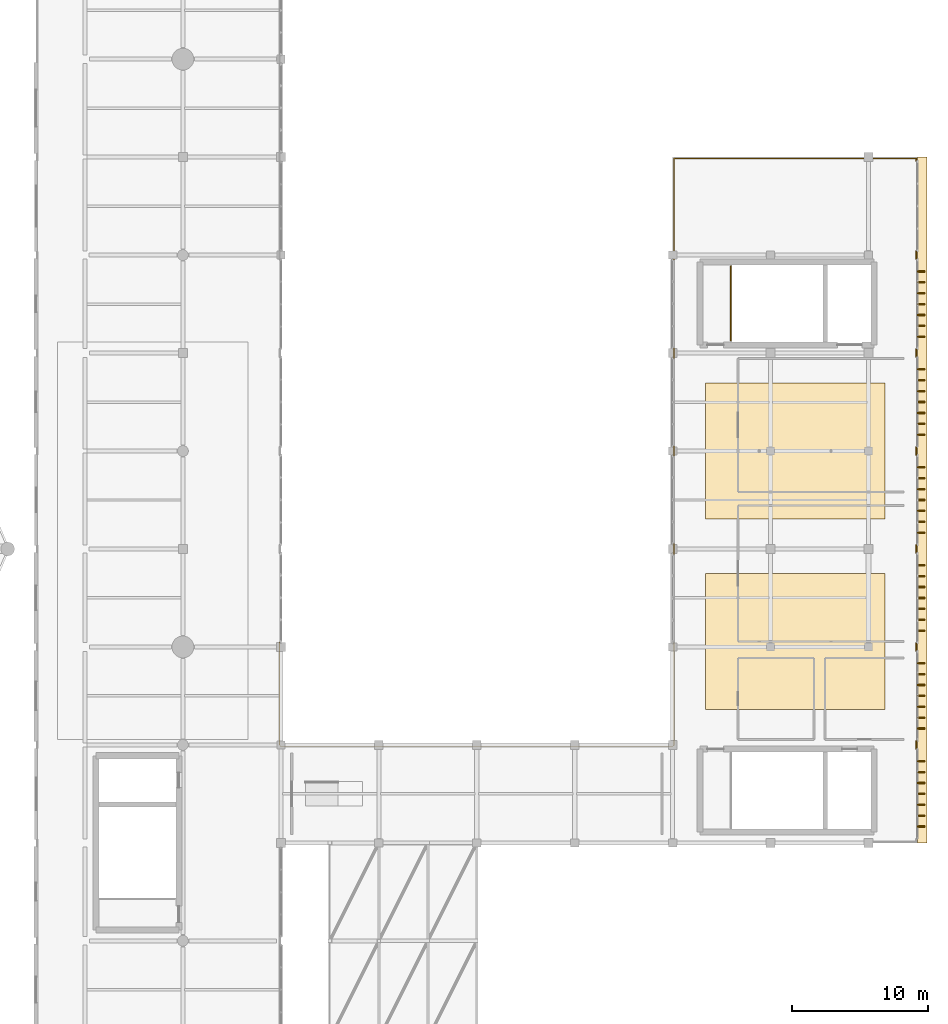
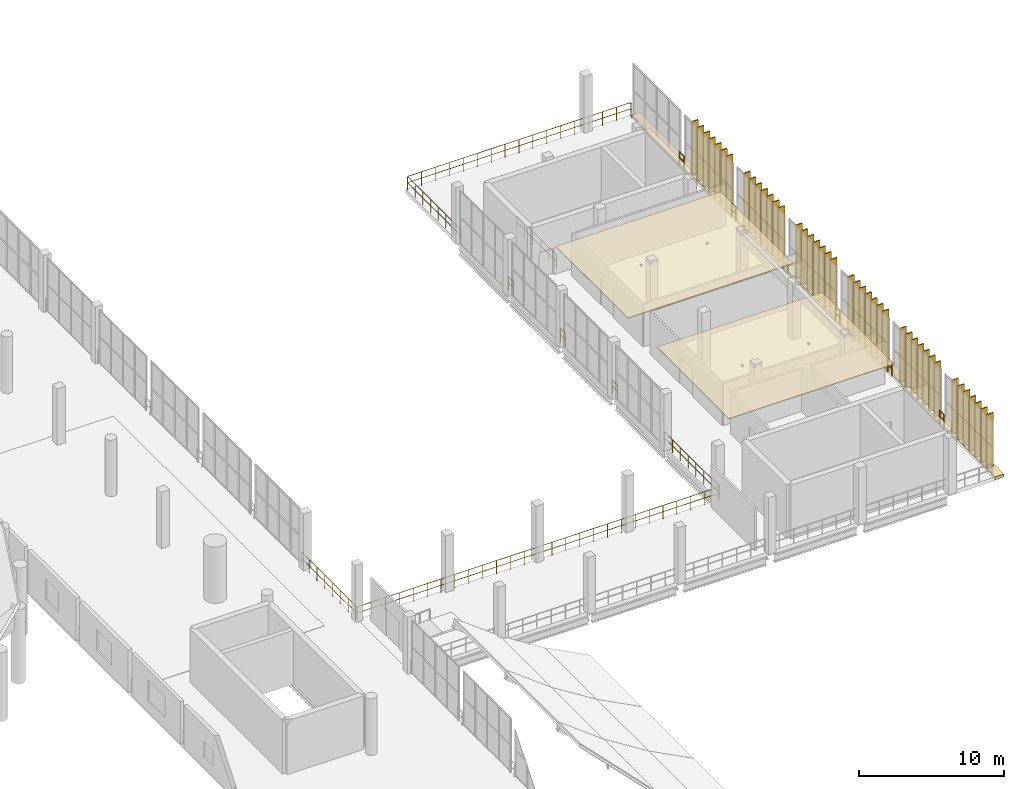
# One storey, part 104 of 105: 45 coverings, 12 railings.
"""IFC4 building model written with IfcOpenShell, lengths in metres."""

from ifc_helpers import new_model, si_unit, direction, frame, origin, origin_2d, place, context, subcontext, project, spatial, polyline, rectangle, circle, outline, extrude, material, layer, layer_set, type_object, element, save


model = new_model("IFC4")

# Units and contexts
model_context = context("Model", 3, precision=1e-05, world=origin(), true_north=direction((0.0, 1.0)))
body_context = subcontext(model_context, "Body", "Model", "MODEL_VIEW")
ifc_project = project(units=[si_unit("LENGTHUNIT", "METRE"), si_unit("AREAUNIT", "SQUARE_METRE"), si_unit("VOLUMEUNIT", "CUBIC_METRE"), si_unit("PLANEANGLEUNIT", "RADIAN"), si_unit("MASSUNIT", "GRAM", prefix="KILO")], contexts=[model_context])

# Site, building, storey
site_placement = place(None, origin())
site = spatial("IfcSite", under=ifc_project, at=site_placement, CompositionType="ELEMENT")
building_placement = place(site_placement, origin())
building = spatial("IfcBuilding", under=site, at=building_placement, Name="Qandorah Velis Arena", CompositionType="ELEMENT")
storey_placement = place(building_placement, frame((0.0, 0.0, 13.800048828125)))
storey = spatial("IfcBuildingStorey", under=building, at=storey_placement, Name="L03", CompositionType="ELEMENT", Elevation=13.800048828125)

# Coverings
ifc_material_1 = material(Name="Perforated mineral-fibre acoustic ceiling cloud", Category="gypsum")
ifc_layer_1 = layer(ifc_material_1, 0.044921875)
ifc_layer_set_1 = layer_set([ifc_layer_1], Name="Perforated mineral-fibre acoustic ceiling cloud")
covering_type_1 = type_object("IfcCoveringType", Name="ARC-COV-CEIL", PredefinedType="CEILING", material=ifc_layer_set_1)
covering_1_placement = place(storey_placement, frame((0.0, 0.0, 4.385009765625)))
element("IfcCovering", 1, at=covering_1_placement, inside=storey, type_object=covering_type_1, Name="Acoustic ceiling cloud AC-04", PredefinedType="CEILING", context=body_context, shape_type="SweptSolid", body=[
    extrude(outline(polyline([(153.60009765625, 53.0), (166.800048828125, 53.0), (166.800048828125, 63.0), (153.60009765625, 63.0), (153.60009765625, 53.0)])), origin(), (0.0, 0.0, 1.0), 0.044921875),
])
covering_2_placement = place(storey_placement, frame((0.0, 0.0, 4.385009765625)))
element("IfcCovering", 2, at=covering_2_placement, inside=storey, type_object=covering_type_1, Name="Acoustic ceiling cloud AC-05", PredefinedType="CEILING", context=body_context, shape_type="SweptSolid", body=[
    extrude(outline(polyline([(153.60009765625, 67.0), (166.800048828125, 67.0), (166.800048828125, 77.0), (153.60009765625, 77.0), (153.60009765625, 67.0)])), origin(), (0.0, 0.0, 1.0), 0.044921875),
])
ifc_material_2 = material(Name="Precast Riyadh limestone cladding", Category="masonry")
ifc_layer_2 = layer(ifc_material_2, 0.054931640625)
ifc_layer_set_2 = layer_set([ifc_layer_2], Name="Precast Riyadh limestone cladding")
covering_type_2 = type_object("IfcCoveringType", Name="ARC-COV-CLAD", PredefinedType="CLADDING", material=ifc_layer_set_2)
covering_3_placement = place(storey_placement, frame((169.5400390625, 68.39990234375, -0.27001953125), z_axis=(0.0, 0.0, 1.0), x_axis=(1.0, 0.0, 0.0)))
element("IfcCovering", 3, at=covering_3_placement, inside=storey, type_object=covering_type_2, Name="Sculpted precast solar eyebrow reveal 09", PredefinedType="CLADDING", context=body_context, shape_type="SweptSolid", body=[
    extrude(rectangle(XDim=0.719970703125, YDim=50.39990234375, at=origin_2d()), origin(), (0.0, 0.0, 1.0), 0.260009765625),
])
ifc_material_3 = material(Name="Champagne-bronze anodized aluminium 6063-T6", Category="aluminium")
ifc_layer_3 = layer(ifc_material_3, 0.0849609375)
ifc_layer_set_3 = layer_set([ifc_layer_3], Name="Champagne-bronze anodized aluminium 6063-T6")
covering_type_3 = type_object("IfcCoveringType", Name="ARC-COV-FIN520", PredefinedType="CLADDING", material=ifc_layer_set_3)
for number, where, z_axis, x_axis, name in (
    (4, (169.451904296875, 44.39990234375, -0.01025390625), (0.0, 0.0, 1.0), (1.0, 0.0, 0.0), "Vertical champagne-bronze solar fin blade WNG-E-L03-00-001"),
    (5, (169.451904296875, 45.199951171875, -0.01025390625), (0.0, 0.0, 1.0), (1.0, 0.0, 0.0), "Vertical champagne-bronze solar fin blade WNG-E-L03-00-002"),
    (6, (169.451904296875, 46.0, -0.01025390625), (0.0, 0.0, 1.0), (1.0, 0.0, 0.0), "Vertical champagne-bronze solar fin blade WNG-E-L03-00-003"),
    (7, (169.451904296875, 46.800048828125, -0.01025390625), (0.0, 0.0, 1.0), (1.0, 0.0, 0.0), "Vertical champagne-bronze solar fin blade WNG-E-L03-00-004"),
    (8, (169.451904296875, 47.60009765625, -0.01025390625), (0.0, 0.0, 1.0), (1.0, 0.0, 0.0), "Vertical champagne-bronze solar fin blade WNG-E-L03-00-005"),
    (9, (169.451904296875, 48.39990234375, -0.01025390625), (0.0, 0.0, 1.0), (1.0, 0.0, 0.0), "Vertical champagne-bronze solar fin blade WNG-E-L03-00-006"),
    (10, (169.451904296875, 49.199951171875, -0.01025390625), (0.0, 0.0, 1.0), (1.0, 0.0, 0.0), "Vertical champagne-bronze solar fin blade WNG-E-L03-00-007"),
    (11, (169.451904296875, 51.60009765625, -0.01025390625), (0.0, 0.0, 1.0), (1.0, 0.0, 0.0), "Vertical champagne-bronze solar fin blade WNG-E-L03-01-001"),
    (12, (169.451904296875, 52.39990234375, -0.01025390625), (0.0, 0.0, 1.0), (1.0, 0.0, 0.0), "Vertical champagne-bronze solar fin blade WNG-E-L03-01-002"),
    (13, (169.451904296875, 53.199951171875, -0.01025390625), (0.0, 0.0, 1.0), (1.0, 0.0, 0.0), "Vertical champagne-bronze solar fin blade WNG-E-L03-01-003"),
    (14, (169.451904296875, 54.0, -0.01025390625), (0.0, 0.0, 1.0), (1.0, 0.0, 0.0), "Vertical champagne-bronze solar fin blade WNG-E-L03-01-004"),
    (15, (169.451904296875, 54.800048828125, -0.01025390625), (0.0, 0.0, 1.0), (1.0, 0.0, 0.0), "Vertical champagne-bronze solar fin blade WNG-E-L03-01-005"),
    (16, (169.451904296875, 55.60009765625, -0.01025390625), (0.0, 0.0, 1.0), (1.0, 0.0, 0.0), "Vertical champagne-bronze solar fin blade WNG-E-L03-01-006"),
    (17, (169.451904296875, 56.39990234375, -0.01025390625), (0.0, 0.0, 1.0), (1.0, 0.0, 0.0), "Vertical champagne-bronze solar fin blade WNG-E-L03-01-007"),
    (18, (169.451904296875, 58.800048828125, -0.01025390625), (0.0, 0.0, 1.0), (1.0, 0.0, 0.0), "Vertical champagne-bronze solar fin blade WNG-E-L03-02-001"),
    (19, (169.451904296875, 59.60009765625, -0.01025390625), (0.0, 0.0, 1.0), (1.0, 0.0, 0.0), "Vertical champagne-bronze solar fin blade WNG-E-L03-02-002"),
    (20, (169.451904296875, 60.39990234375, -0.01025390625), (0.0, 0.0, 1.0), (1.0, 0.0, 0.0), "Vertical champagne-bronze solar fin blade WNG-E-L03-02-003"),
    (21, (169.451904296875, 61.199951171875, -0.01025390625), (0.0, 0.0, 1.0), (1.0, 0.0, 0.0), "Vertical champagne-bronze solar fin blade WNG-E-L03-02-004"),
    (22, (169.451904296875, 62.0, -0.01025390625), (0.0, 0.0, 1.0), (1.0, 0.0, 0.0), "Vertical champagne-bronze solar fin blade WNG-E-L03-02-005"),
    (23, (169.451904296875, 62.800048828125, -0.01025390625), (0.0, 0.0, 1.0), (1.0, 0.0, 0.0), "Vertical champagne-bronze solar fin blade WNG-E-L03-02-006"),
    (24, (169.451904296875, 63.60009765625, -0.01025390625), (0.0, 0.0, 1.0), (1.0, 0.0, 0.0), "Vertical champagne-bronze solar fin blade WNG-E-L03-02-007"),
    (25, (169.451904296875, 66.0, -0.01025390625), (0.0, 0.0, 1.0), (1.0, 0.0, 0.0), "Vertical champagne-bronze solar fin blade WNG-E-L03-03-001"),
    (26, (169.451904296875, 66.800048828125, -0.01025390625), (0.0, 0.0, 1.0), (1.0, 0.0, 0.0), "Vertical champagne-bronze solar fin blade WNG-E-L03-03-002"),
    (27, (169.451904296875, 67.60009765625, -0.01025390625), (0.0, 0.0, 1.0), (1.0, 0.0, 0.0), "Vertical champagne-bronze solar fin blade WNG-E-L03-03-003"),
    (28, (169.451904296875, 68.39990234375, -0.01025390625), (0.0, 0.0, 1.0), (1.0, 0.0, 0.0), "Vertical champagne-bronze solar fin blade WNG-E-L03-03-004"),
    (29, (169.451904296875, 69.199951171875, -0.01025390625), (0.0, 0.0, 1.0), (1.0, 0.0, 0.0), "Vertical champagne-bronze solar fin blade WNG-E-L03-03-005"),
    (30, (169.451904296875, 70.0, -0.01025390625), (0.0, 0.0, 1.0), (1.0, 0.0, 0.0), "Vertical champagne-bronze solar fin blade WNG-E-L03-03-006"),
    (31, (169.451904296875, 70.800048828125, -0.01025390625), (0.0, 0.0, 1.0), (1.0, 0.0, 0.0), "Vertical champagne-bronze solar fin blade WNG-E-L03-03-007"),
    (32, (169.451904296875, 73.199951171875, -0.01025390625), (0.0, 0.0, 1.0), (1.0, 0.0, 0.0), "Vertical champagne-bronze solar fin blade WNG-E-L03-04-001"),
    (33, (169.451904296875, 74.0, -0.01025390625), (0.0, 0.0, 1.0), (1.0, 0.0, 0.0), "Vertical champagne-bronze solar fin blade WNG-E-L03-04-002"),
    (34, (169.451904296875, 74.800048828125, -0.01025390625), (0.0, 0.0, 1.0), (1.0, 0.0, 0.0), "Vertical champagne-bronze solar fin blade WNG-E-L03-04-003"),
    (35, (169.451904296875, 75.60009765625, -0.01025390625), (0.0, 0.0, 1.0), (1.0, 0.0, 0.0), "Vertical champagne-bronze solar fin blade WNG-E-L03-04-004"),
    (36, (169.451904296875, 76.39990234375, -0.01025390625), (0.0, 0.0, 1.0), (1.0, 0.0, 0.0), "Vertical champagne-bronze solar fin blade WNG-E-L03-04-005"),
    (37, (169.451904296875, 77.199951171875, -0.01025390625), (0.0, 0.0, 1.0), (1.0, 0.0, 0.0), "Vertical champagne-bronze solar fin blade WNG-E-L03-04-006"),
    (38, (169.451904296875, 78.0, -0.01025390625), (0.0, 0.0, 1.0), (1.0, 0.0, 0.0), "Vertical champagne-bronze solar fin blade WNG-E-L03-04-007"),
    (39, (169.451904296875, 80.39990234375, -0.01025390625), (0.0, 0.0, 1.0), (1.0, 0.0, 0.0), "Vertical champagne-bronze solar fin blade WNG-E-L03-05-001"),
    (40, (169.451904296875, 81.199951171875, -0.01025390625), (0.0, 0.0, 1.0), (1.0, 0.0, 0.0), "Vertical champagne-bronze solar fin blade WNG-E-L03-05-002"),
    (41, (169.451904296875, 82.0, -0.01025390625), (0.0, 0.0, 1.0), (1.0, 0.0, 0.0), "Vertical champagne-bronze solar fin blade WNG-E-L03-05-003"),
    (42, (169.451904296875, 82.800048828125, -0.01025390625), (0.0, 0.0, 1.0), (1.0, 0.0, 0.0), "Vertical champagne-bronze solar fin blade WNG-E-L03-05-004"),
    (43, (169.451904296875, 83.60009765625, -0.01025390625), (0.0, 0.0, 1.0), (1.0, 0.0, 0.0), "Vertical champagne-bronze solar fin blade WNG-E-L03-05-005"),
    (44, (169.451904296875, 84.39990234375, -0.01025390625), (0.0, 0.0, 1.0), (1.0, 0.0, 0.0), "Vertical champagne-bronze solar fin blade WNG-E-L03-05-006"),
    (45, (169.451904296875, 85.199951171875, -0.01025390625), (0.0, 0.0, 1.0), (1.0, 0.0, 0.0), "Vertical champagne-bronze solar fin blade WNG-E-L03-05-007"),
):
    element("IfcCovering", number, at=place(storey_placement, frame(where, z_axis=z_axis, x_axis=x_axis)), inside=storey, type_object=covering_type_3, Name=name, PredefinedType="CLADDING", context=body_context, shape_type="SweptSolid", body=[
        extrude(rectangle(XDim=0.52001953125, YDim=0.0849609375, at=origin_2d()), origin(), (0.0, 0.0, 1.0), 4.550048828125),
    ])

# Railings
ifc_material_4 = material(Name="Stainless steel 316", Category="steel")
railing_type = type_object("IfcRailingType", Name="ARC-RL-GRD1150", PredefinedType="GUARDRAIL", material=ifc_material_4)
railing_1_placement = place(storey_placement, frame((155.469970703125, 80.110107421875, 0.0)))
element("IfcRailing", 46, at=railing_1_placement, inside=storey, type_object=railing_type, Name="Stair ST8 top well guardrail L03", PredefinedType="GUARDRAIL", context=body_context, shape_type="SweptSolid", body=[
    extrude(circle(Radius=0.02392578125, at=origin_2d()), frame((0.0, 0.0, 1.1259765625), z_axis=(0.0, 1.0, 0.0), x_axis=(-1.0, 0.0, 0.0)), (0.0, 0.0, 1.0), 5.47998046875),
    extrude(circle(Radius=0.02392578125, at=origin_2d()), frame((0.0, 0.0, 0.597900390625), z_axis=(0.0, 1.0, 0.0), x_axis=(-1.0, 0.0, 0.0)), (0.0, 0.0, 1.0), 5.47998046875),
    extrude(circle(Radius=0.02099609375, at=origin_2d()), origin(), (0.0, 0.0, 1.0), 1.101806640625),
    extrude(circle(Radius=0.02099609375, at=origin_2d()), frame((0.0, 1.095947265625, 0.0)), (0.0, 0.0, 1.0), 1.101806640625),
    extrude(circle(Radius=0.02099609375, at=origin_2d()), frame((0.0, 2.19189453125, 0.0)), (0.0, 0.0, 1.0), 1.101806640625),
    extrude(circle(Radius=0.02099609375, at=origin_2d()), frame((0.0, 3.2880859375, 0.0)), (0.0, 0.0, 1.0), 1.101806640625),
    extrude(circle(Radius=0.02099609375, at=origin_2d()), frame((0.0, 4.384033203125, 0.0)), (0.0, 0.0, 1.0), 1.101806640625),
    extrude(circle(Radius=0.02099609375, at=origin_2d()), frame((0.0, 5.47998046875, 0.0)), (0.0, 0.0, 1.0), 1.101806640625),
])
railing_2_placement = place(storey_placement, frame((122.300048828125, 57.949951171875, 0.0)))
element("IfcRailing", 47, at=railing_2_placement, inside=storey, type_object=railing_type, Name="Slab edge safety guardrail L03-191", PredefinedType="GUARDRAIL", context=body_context, shape_type="SweptSolid", body=[
    extrude(circle(Radius=0.02392578125, at=origin_2d()), frame((0.0, 0.0, 1.1259765625), z_axis=(0.0, -1.0, 0.0), x_axis=(1.0, 0.0, 0.0)), (0.0, 0.0, 1.0), 7.550048828125),
    extrude(circle(Radius=0.02392578125, at=origin_2d()), frame((0.0, 0.0, 0.597900390625), z_axis=(0.0, -1.0, 0.0), x_axis=(1.0, 0.0, 0.0)), (0.0, 0.0, 1.0), 7.550048828125),
    extrude(circle(Radius=0.02392578125, at=origin_2d()), frame((0.0, -7.550048828125, 1.1259765625), z_axis=(0.635437237523, -0.77215252196, 0.0), x_axis=(0.77215252196, 0.635437237523, 0.0)), (0.0, 0.0, 1.0), 0.126708984375),
    extrude(circle(Radius=0.02392578125, at=origin_2d()), frame((0.0, -7.550048828125, 0.597900390625), z_axis=(0.635437237523, -0.77215252196, 0.0), x_axis=(0.77215252196, 0.635437237523, 0.0)), (0.0, 0.0, 1.0), 0.126708984375),
    extrude(circle(Radius=0.02392578125, at=origin_2d()), frame((0.08056640625, -7.64794921875, 1.1259765625), z_axis=(0.999999997704, -6.7771339e-05, 0.0), x_axis=(6.7771339e-05, 0.999999997704, 0.0)), (0.0, 0.0, 1.0), 28.8193359375),
    extrude(circle(Radius=0.02392578125, at=origin_2d()), frame((0.08056640625, -7.64794921875, 0.597900390625), z_axis=(0.999999997704, -6.7771339e-05, 0.0), x_axis=(6.7771339e-05, 0.999999997704, 0.0)), (0.0, 0.0, 1.0), 28.8193359375),
    extrude(circle(Radius=0.02392578125, at=origin_2d()), frame((28.89990234375, -7.64990234375, 1.1259765625), z_axis=(0.772928297309, 0.634493378388, 0.0), x_axis=(-0.634493378388, 0.772928297309, 0.0)), (0.0, 0.0, 1.0), 0.126953125),
    extrude(circle(Radius=0.02392578125, at=origin_2d()), frame((28.89990234375, -7.64990234375, 0.597900390625), z_axis=(0.772928297309, 0.634493378388, 0.0), x_axis=(-0.634493378388, 0.772928297309, 0.0)), (0.0, 0.0, 1.0), 0.126953125),
    extrude(circle(Radius=0.02392578125, at=origin_2d()), frame((28.998046875, -7.5693359375, 1.1259765625), z_axis=(0.000258882912, 0.99999996649, 0.0), x_axis=(-0.99999996649, 0.000258882912, 0.0)), (0.0, 0.0, 1.0), 7.54443359375),
    extrude(circle(Radius=0.02392578125, at=origin_2d()), frame((28.998046875, -7.5693359375, 0.597900390625), z_axis=(0.000258882912, 0.99999996649, 0.0), x_axis=(-0.99999996649, 0.000258882912, 0.0)), (0.0, 0.0, 1.0), 7.54443359375),
    extrude(circle(Radius=0.02099609375, at=origin_2d()), origin(), (0.0, 0.0, 1.0), 1.101806640625),
    extrude(circle(Radius=0.02099609375, at=origin_2d()), frame((0.0, -1.07861328125, 0.0)), (0.0, 0.0, 1.0), 1.101806640625),
    extrude(circle(Radius=0.02099609375, at=origin_2d()), frame((0.0, -2.1572265625, 0.0)), (0.0, 0.0, 1.0), 1.101806640625),
    extrude(circle(Radius=0.02099609375, at=origin_2d()), frame((0.0, -3.23583984375, 0.0)), (0.0, 0.0, 1.0), 1.101806640625),
    extrude(circle(Radius=0.02099609375, at=origin_2d()), frame((0.0, -4.314208984375, 0.0)), (0.0, 0.0, 1.0), 1.101806640625),
    extrude(circle(Radius=0.02099609375, at=origin_2d()), frame((0.0, -5.392822265625, 0.0)), (0.0, 0.0, 1.0), 1.101806640625),
    extrude(circle(Radius=0.02099609375, at=origin_2d()), frame((0.0, -6.471435546875, 0.0)), (0.0, 0.0, 1.0), 1.101806640625),
    extrude(circle(Radius=0.02099609375, at=origin_2d()), frame((0.0, -7.550048828125, 0.0)), (0.0, 0.0, 1.0), 1.101806640625),
    extrude(circle(Radius=0.02099609375, at=origin_2d()), frame((0.08056640625, -7.64794921875, 0.0)), (0.0, 0.0, 1.0), 1.101806640625),
    extrude(circle(Radius=0.02099609375, at=origin_2d()), frame((1.18896484375, -7.64794921875, 0.0)), (0.0, 0.0, 1.0), 1.101806640625),
    extrude(circle(Radius=0.02099609375, at=origin_2d()), frame((2.29736328125, -7.648193359375, 0.0)), (0.0, 0.0, 1.0), 1.101806640625),
    extrude(circle(Radius=0.02099609375, at=origin_2d()), frame((3.40576171875, -7.648193359375, 0.0)), (0.0, 0.0, 1.0), 1.101806640625),
    extrude(circle(Radius=0.02099609375, at=origin_2d()), frame((4.514404296875, -7.648193359375, 0.0)), (0.0, 0.0, 1.0), 1.101806640625),
    extrude(circle(Radius=0.02099609375, at=origin_2d()), frame((5.622802734375, -7.6484375, 0.0)), (0.0, 0.0, 1.0), 1.101806640625),
    extrude(circle(Radius=0.02099609375, at=origin_2d()), frame((6.731201171875, -7.6484375, 0.0)), (0.0, 0.0, 1.0), 1.101806640625),
    extrude(circle(Radius=0.02099609375, at=origin_2d()), frame((7.839599609375, -7.6484375, 0.0)), (0.0, 0.0, 1.0), 1.101806640625),
    extrude(circle(Radius=0.02099609375, at=origin_2d()), frame((8.947998046875, -7.6484375, 0.0)), (0.0, 0.0, 1.0), 1.101806640625),
    extrude(circle(Radius=0.02099609375, at=origin_2d()), frame((10.056396484375, -7.648681640625, 0.0)), (0.0, 0.0, 1.0), 1.101806640625),
    extrude(circle(Radius=0.02099609375, at=origin_2d()), frame((11.1650390625, -7.648681640625, 0.0)), (0.0, 0.0, 1.0), 1.101806640625),
    extrude(circle(Radius=0.02099609375, at=origin_2d()), frame((12.2734375, -7.648681640625, 0.0)), (0.0, 0.0, 1.0), 1.101806640625),
    extrude(circle(Radius=0.02099609375, at=origin_2d()), frame((13.3818359375, -7.64892578125, 0.0)), (0.0, 0.0, 1.0), 1.101806640625),
    extrude(circle(Radius=0.02099609375, at=origin_2d()), frame((14.490234375, -7.64892578125, 0.0)), (0.0, 0.0, 1.0), 1.101806640625),
    extrude(circle(Radius=0.02099609375, at=origin_2d()), frame((15.5986328125, -7.64892578125, 0.0)), (0.0, 0.0, 1.0), 1.101806640625),
    extrude(circle(Radius=0.02099609375, at=origin_2d()), frame((16.70703125, -7.649169921875, 0.0)), (0.0, 0.0, 1.0), 1.101806640625),
    extrude(circle(Radius=0.02099609375, at=origin_2d()), frame((17.8154296875, -7.649169921875, 0.0)), (0.0, 0.0, 1.0), 1.101806640625),
    extrude(circle(Radius=0.02099609375, at=origin_2d()), frame((18.924072265625, -7.649169921875, 0.0)), (0.0, 0.0, 1.0), 1.101806640625),
    extrude(circle(Radius=0.02099609375, at=origin_2d()), frame((20.032470703125, -7.6494140625, 0.0)), (0.0, 0.0, 1.0), 1.101806640625),
    extrude(circle(Radius=0.02099609375, at=origin_2d()), frame((21.140869140625, -7.6494140625, 0.0)), (0.0, 0.0, 1.0), 1.101806640625),
    extrude(circle(Radius=0.02099609375, at=origin_2d()), frame((22.249267578125, -7.6494140625, 0.0)), (0.0, 0.0, 1.0), 1.101806640625),
    extrude(circle(Radius=0.02099609375, at=origin_2d()), frame((23.357666015625, -7.6494140625, 0.0)), (0.0, 0.0, 1.0), 1.101806640625),
    extrude(circle(Radius=0.02099609375, at=origin_2d()), frame((24.466064453125, -7.649658203125, 0.0)), (0.0, 0.0, 1.0), 1.101806640625),
    extrude(circle(Radius=0.02099609375, at=origin_2d()), frame((25.57470703125, -7.649658203125, 0.0)), (0.0, 0.0, 1.0), 1.101806640625),
    extrude(circle(Radius=0.02099609375, at=origin_2d()), frame((26.68310546875, -7.649658203125, 0.0)), (0.0, 0.0, 1.0), 1.101806640625),
    extrude(circle(Radius=0.02099609375, at=origin_2d()), frame((27.79150390625, -7.64990234375, 0.0)), (0.0, 0.0, 1.0), 1.101806640625),
    extrude(circle(Radius=0.02099609375, at=origin_2d()), frame((28.89990234375, -7.64990234375, 0.0)), (0.0, 0.0, 1.0), 1.101806640625),
    extrude(circle(Radius=0.02099609375, at=origin_2d()), frame((28.998046875, -7.5693359375, 0.0)), (0.0, 0.0, 1.0), 1.101806640625),
    extrude(circle(Radius=0.02099609375, at=origin_2d()), frame((28.998291015625, -6.491455078125, 0.0)), (0.0, 0.0, 1.0), 1.101806640625),
    extrude(circle(Radius=0.02099609375, at=origin_2d()), frame((28.99853515625, -5.413818359375, 0.0)), (0.0, 0.0, 1.0), 1.101806640625),
    extrude(circle(Radius=0.02099609375, at=origin_2d()), frame((28.998779296875, -4.3359375, 0.0)), (0.0, 0.0, 1.0), 1.101806640625),
    extrude(circle(Radius=0.02099609375, at=origin_2d()), frame((28.999267578125, -3.25830078125, 0.0)), (0.0, 0.0, 1.0), 1.101806640625),
    extrude(circle(Radius=0.02099609375, at=origin_2d()), frame((28.99951171875, -2.180419921875, 0.0)), (0.0, 0.0, 1.0), 1.101806640625),
    extrude(circle(Radius=0.02099609375, at=origin_2d()), frame((28.999755859375, -1.102783203125, 0.0)), (0.0, 0.0, 1.0), 1.101806640625),
    extrude(circle(Radius=0.02099609375, at=origin_2d()), frame((29.0, -0.02490234375, 0.0)), (0.0, 0.0, 1.0), 1.101806640625),
])
railing_3_placement = place(storey_placement, frame((151.300048828125, 64.449951171875, 0.0)))
element("IfcRailing", 48, at=railing_3_placement, inside=storey, type_object=railing_type, Name="Slab edge safety guardrail L03-192", PredefinedType="GUARDRAIL", context=body_context, shape_type="SweptSolid", body=[
    extrude(circle(Radius=0.02392578125, at=origin_2d()), frame((0.0, 0.0, 1.1259765625), z_axis=(0.0, 1.0, 0.0), x_axis=(-1.0, 0.0, 0.0)), (0.0, 0.0, 1.0), 0.699951171875),
    extrude(circle(Radius=0.02392578125, at=origin_2d()), frame((0.0, 0.0, 0.597900390625), z_axis=(0.0, 1.0, 0.0), x_axis=(-1.0, 0.0, 0.0)), (0.0, 0.0, 1.0), 0.699951171875),
    extrude(circle(Radius=0.02099609375, at=origin_2d()), origin(), (0.0, 0.0, 1.0), 1.101806640625),
    extrude(circle(Radius=0.02099609375, at=origin_2d()), frame((0.0, 0.699951171875, 0.0)), (0.0, 0.0, 1.0), 1.101806640625),
])
railing_4_placement = place(storey_placement, frame((151.300048828125, 71.675048828125, 0.0)))
element("IfcRailing", 49, at=railing_4_placement, inside=storey, type_object=railing_type, Name="Slab edge safety guardrail L03-193", PredefinedType="GUARDRAIL", context=body_context, shape_type="SweptSolid", body=[
    extrude(circle(Radius=0.02392578125, at=origin_2d()), frame((0.0, 0.0, 1.1259765625), z_axis=(0.0, 1.0, 0.0), x_axis=(-1.0, 0.0, 0.0)), (0.0, 0.0, 1.0), 0.64990234375),
    extrude(circle(Radius=0.02392578125, at=origin_2d()), frame((0.0, 0.0, 0.597900390625), z_axis=(0.0, 1.0, 0.0), x_axis=(-1.0, 0.0, 0.0)), (0.0, 0.0, 1.0), 0.64990234375),
    extrude(circle(Radius=0.02099609375, at=origin_2d()), origin(), (0.0, 0.0, 1.0), 1.101806640625),
    extrude(circle(Radius=0.02099609375, at=origin_2d()), frame((0.0, 0.64990234375, 0.0)), (0.0, 0.0, 1.0), 1.101806640625),
])
railing_5_placement = place(storey_placement, frame((151.300048828125, 78.85009765625, 0.0)))
element("IfcRailing", 50, at=railing_5_placement, inside=storey, type_object=railing_type, Name="Slab edge safety guardrail L03-194", PredefinedType="GUARDRAIL", context=body_context, shape_type="SweptSolid", body=[
    extrude(circle(Radius=0.02392578125, at=origin_2d()), frame((0.0, 0.0, 1.1259765625), z_axis=(0.0, 1.0, 0.0), x_axis=(-1.0, 0.0, 0.0)), (0.0, 0.0, 1.0), 0.699951171875),
    extrude(circle(Radius=0.02392578125, at=origin_2d()), frame((0.0, 0.0, 0.597900390625), z_axis=(0.0, 1.0, 0.0), x_axis=(-1.0, 0.0, 0.0)), (0.0, 0.0, 1.0), 0.699951171875),
    extrude(circle(Radius=0.02099609375, at=origin_2d()), origin(), (0.0, 0.0, 1.0), 1.101806640625),
    extrude(circle(Radius=0.02099609375, at=origin_2d()), frame((0.0, 0.699951171875, 0.0)), (0.0, 0.0, 1.0), 1.101806640625),
])
railing_6_placement = place(storey_placement, frame((151.300048828125, 86.074951171875, 0.0)))
element("IfcRailing", 51, at=railing_6_placement, inside=storey, type_object=railing_type, Name="Slab edge safety guardrail L03-195", PredefinedType="GUARDRAIL", context=body_context, shape_type="SweptSolid", body=[
    extrude(circle(Radius=0.02392578125, at=origin_2d()), frame((0.0, 0.0, 1.1259765625), z_axis=(0.0, 1.0, 0.0), x_axis=(-1.0, 0.0, 0.0)), (0.0, 0.0, 1.0), 7.425048828125),
    extrude(circle(Radius=0.02392578125, at=origin_2d()), frame((0.0, 0.0, 0.597900390625), z_axis=(0.0, 1.0, 0.0), x_axis=(-1.0, 0.0, 0.0)), (0.0, 0.0, 1.0), 7.425048828125),
    extrude(circle(Radius=0.02392578125, at=origin_2d()), frame((0.0, 7.425048828125, 1.1259765625), z_axis=(1.0, 0.0, 0.0), x_axis=(0.0, 1.0, 0.0)), (0.0, 0.0, 1.0), 17.800048828125),
    extrude(circle(Radius=0.02392578125, at=origin_2d()), frame((0.0, 7.425048828125, 0.597900390625), z_axis=(1.0, 0.0, 0.0), x_axis=(0.0, 1.0, 0.0)), (0.0, 0.0, 1.0), 17.800048828125),
    extrude(circle(Radius=0.02392578125, at=origin_2d()), frame((17.800048828125, 7.425048828125, 1.1259765625), z_axis=(0.0, -1.0, 0.0), x_axis=(1.0, 0.0, 0.0)), (0.0, 0.0, 1.0), 0.199951171875),
    extrude(circle(Radius=0.02392578125, at=origin_2d()), frame((17.800048828125, 7.425048828125, 0.597900390625), z_axis=(0.0, -1.0, 0.0), x_axis=(1.0, 0.0, 0.0)), (0.0, 0.0, 1.0), 0.199951171875),
    extrude(circle(Radius=0.02099609375, at=origin_2d()), origin(), (0.0, 0.0, 1.0), 1.101806640625),
    extrude(circle(Radius=0.02099609375, at=origin_2d()), frame((0.0, 1.060791015625, 0.0)), (0.0, 0.0, 1.0), 1.101806640625),
    extrude(circle(Radius=0.02099609375, at=origin_2d()), frame((0.0, 2.121337890625, 0.0)), (0.0, 0.0, 1.0), 1.101806640625),
    extrude(circle(Radius=0.02099609375, at=origin_2d()), frame((0.0, 3.18212890625, 0.0)), (0.0, 0.0, 1.0), 1.101806640625),
    extrude(circle(Radius=0.02099609375, at=origin_2d()), frame((0.0, 4.242919921875, 0.0)), (0.0, 0.0, 1.0), 1.101806640625),
    extrude(circle(Radius=0.02099609375, at=origin_2d()), frame((0.0, 5.3037109375, 0.0)), (0.0, 0.0, 1.0), 1.101806640625),
    extrude(circle(Radius=0.02099609375, at=origin_2d()), frame((0.0, 6.3642578125, 0.0)), (0.0, 0.0, 1.0), 1.101806640625),
    extrude(circle(Radius=0.02099609375, at=origin_2d()), frame((0.0, 7.425048828125, 0.0)), (0.0, 0.0, 1.0), 1.101806640625),
    extrude(circle(Radius=0.02099609375, at=origin_2d()), frame((1.112548828125, 7.425048828125, 0.0)), (0.0, 0.0, 1.0), 1.101806640625),
    extrude(circle(Radius=0.02099609375, at=origin_2d()), frame((2.22509765625, 7.425048828125, 0.0)), (0.0, 0.0, 1.0), 1.101806640625),
    extrude(circle(Radius=0.02099609375, at=origin_2d()), frame((3.33740234375, 7.425048828125, 0.0)), (0.0, 0.0, 1.0), 1.101806640625),
    extrude(circle(Radius=0.02099609375, at=origin_2d()), frame((4.449951171875, 7.425048828125, 0.0)), (0.0, 0.0, 1.0), 1.101806640625),
    extrude(circle(Radius=0.02099609375, at=origin_2d()), frame((5.5625, 7.425048828125, 0.0)), (0.0, 0.0, 1.0), 1.101806640625),
    extrude(circle(Radius=0.02099609375, at=origin_2d()), frame((6.675048828125, 7.425048828125, 0.0)), (0.0, 0.0, 1.0), 1.101806640625),
    extrude(circle(Radius=0.02099609375, at=origin_2d()), frame((7.78759765625, 7.425048828125, 0.0)), (0.0, 0.0, 1.0), 1.101806640625),
    extrude(circle(Radius=0.02099609375, at=origin_2d()), frame((8.89990234375, 7.425048828125, 0.0)), (0.0, 0.0, 1.0), 1.101806640625),
    extrude(circle(Radius=0.02099609375, at=origin_2d()), frame((10.012451171875, 7.425048828125, 0.0)), (0.0, 0.0, 1.0), 1.101806640625),
    extrude(circle(Radius=0.02099609375, at=origin_2d()), frame((11.125, 7.425048828125, 0.0)), (0.0, 0.0, 1.0), 1.101806640625),
    extrude(circle(Radius=0.02099609375, at=origin_2d()), frame((12.237548828125, 7.425048828125, 0.0)), (0.0, 0.0, 1.0), 1.101806640625),
    extrude(circle(Radius=0.02099609375, at=origin_2d()), frame((13.35009765625, 7.425048828125, 0.0)), (0.0, 0.0, 1.0), 1.101806640625),
    extrude(circle(Radius=0.02099609375, at=origin_2d()), frame((14.462646484375, 7.425048828125, 0.0)), (0.0, 0.0, 1.0), 1.101806640625),
    extrude(circle(Radius=0.02099609375, at=origin_2d()), frame((15.574951171875, 7.425048828125, 0.0)), (0.0, 0.0, 1.0), 1.101806640625),
    extrude(circle(Radius=0.02099609375, at=origin_2d()), frame((16.6875, 7.425048828125, 0.0)), (0.0, 0.0, 1.0), 1.101806640625),
    extrude(circle(Radius=0.02099609375, at=origin_2d()), frame((17.800048828125, 7.425048828125, 0.0)), (0.0, 0.0, 1.0), 1.101806640625),
    extrude(circle(Radius=0.02099609375, at=origin_2d()), frame((17.800048828125, 7.22509765625, 0.0)), (0.0, 0.0, 1.0), 1.101806640625),
])
railing_7_placement = place(storey_placement, frame((169.10009765625, 86.699951171875, 0.0)))
element("IfcRailing", 52, at=railing_7_placement, inside=storey, type_object=railing_type, Name="Slab edge safety guardrail L03-196", PredefinedType="GUARDRAIL", context=body_context, shape_type="SweptSolid", body=[
    extrude(circle(Radius=0.02392578125, at=origin_2d()), frame((0.0, 0.0, 1.1259765625), z_axis=(0.0, -1.0, 0.0), x_axis=(1.0, 0.0, 0.0)), (0.0, 0.0, 1.0), 0.599853515625),
    extrude(circle(Radius=0.02392578125, at=origin_2d()), frame((0.0, 0.0, 0.597900390625), z_axis=(0.0, -1.0, 0.0), x_axis=(1.0, 0.0, 0.0)), (0.0, 0.0, 1.0), 0.599853515625),
    extrude(circle(Radius=0.02099609375, at=origin_2d()), origin(), (0.0, 0.0, 1.0), 1.101806640625),
    extrude(circle(Radius=0.02099609375, at=origin_2d()), frame((0.0, -0.599853515625, 0.0)), (0.0, 0.0, 1.0), 1.101806640625),
])
for number, where, name in (
    (53, (169.10009765625, 79.5, 0.0), "Slab edge safety guardrail L03-197"),
    (54, (169.10009765625, 72.300048828125, 0.0), "Slab edge safety guardrail L03-198"),
    (55, (169.10009765625, 65.10009765625, 0.0), "Slab edge safety guardrail L03-199"),
):
    element("IfcRailing", number, at=place(storey_placement, frame(where)), inside=storey, type_object=railing_type, Name=name, PredefinedType="GUARDRAIL", context=body_context, shape_type="SweptSolid", body=[
        extrude(circle(Radius=0.02392578125, at=origin_2d()), frame((0.0, 0.0, 1.1259765625), z_axis=(0.0, -1.0, 0.0), x_axis=(1.0, 0.0, 0.0)), (0.0, 0.0, 1.0), 0.60009765625),
        extrude(circle(Radius=0.02392578125, at=origin_2d()), frame((0.0, 0.0, 0.597900390625), z_axis=(0.0, -1.0, 0.0), x_axis=(1.0, 0.0, 0.0)), (0.0, 0.0, 1.0), 0.60009765625),
        extrude(circle(Radius=0.02099609375, at=origin_2d()), origin(), (0.0, 0.0, 1.0), 1.101806640625),
        extrude(circle(Radius=0.02099609375, at=origin_2d()), frame((0.0, -0.60009765625, 0.0)), (0.0, 0.0, 1.0), 1.101806640625),
    ])
for number, where, name in (
    (56, (169.10009765625, 57.89990234375, 0.0), "Slab edge safety guardrail L03-200"),
    (57, (169.10009765625, 50.699951171875, 0.0), "Slab edge safety guardrail L03-201"),
):
    element("IfcRailing", number, at=place(storey_placement, frame(where)), inside=storey, type_object=railing_type, Name=name, PredefinedType="GUARDRAIL", context=body_context, shape_type="SweptSolid", body=[
        extrude(circle(Radius=0.02392578125, at=origin_2d()), frame((0.0, 0.0, 1.1259765625), z_axis=(0.0, -1.0, 0.0), x_axis=(1.0, 0.0, 0.0)), (0.0, 0.0, 1.0), 0.599853515625),
        extrude(circle(Radius=0.02392578125, at=origin_2d()), frame((0.0, 0.0, 0.597900390625), z_axis=(0.0, -1.0, 0.0), x_axis=(1.0, 0.0, 0.0)), (0.0, 0.0, 1.0), 0.599853515625),
        extrude(circle(Radius=0.02099609375, at=origin_2d()), origin(), (0.0, 0.0, 1.0), 1.101806640625),
        extrude(circle(Radius=0.02099609375, at=origin_2d()), frame((0.0, -0.599853515625, 0.0)), (0.0, 0.0, 1.0), 1.101806640625),
    ])

save(model, "model.ifc")
